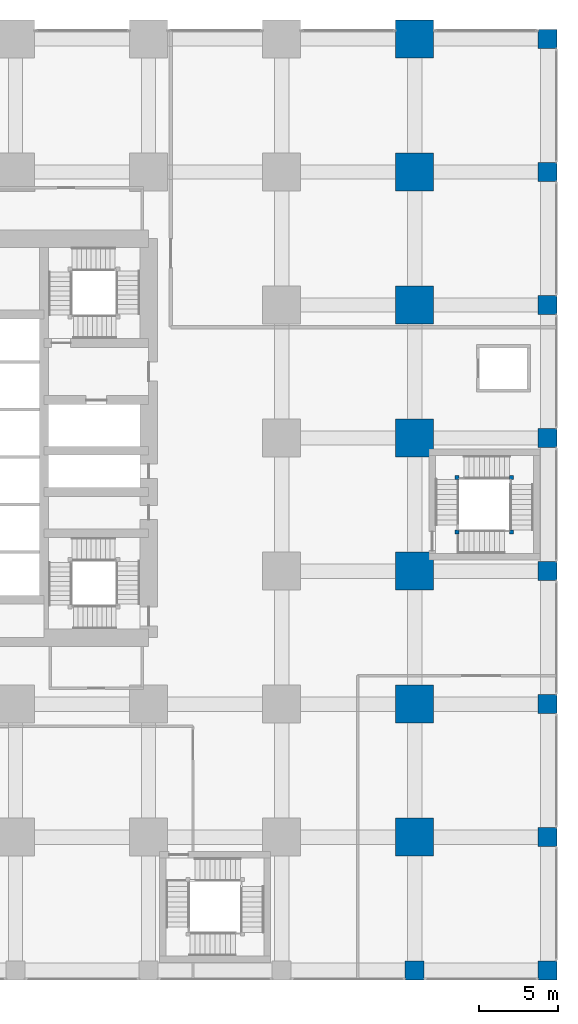
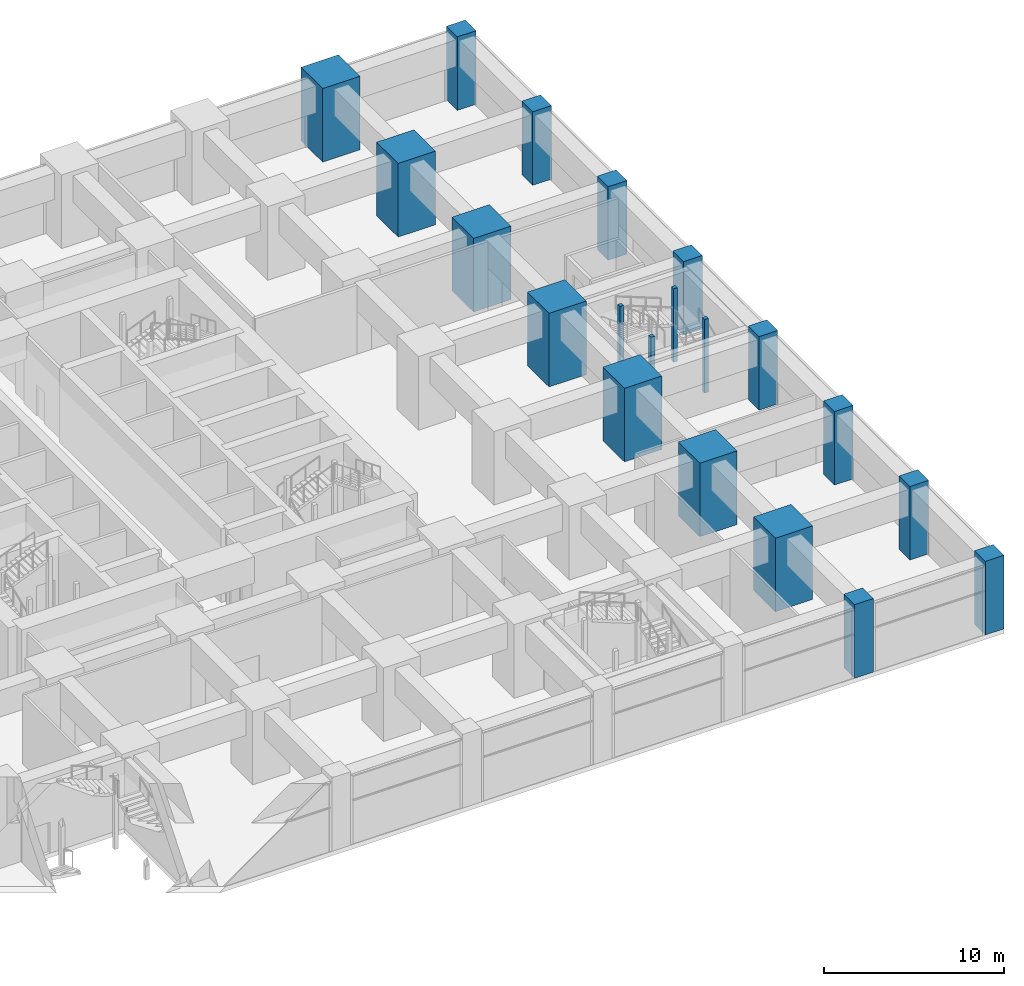
# One storey, part 2 of 48: 20 columns.
"""IFC4 building model written with IfcOpenShell, lengths in metres."""

from ifc_helpers import new_model, si_unit, direction, frame, origin, origin_2d, place, context, subcontext, project, spatial, rectangle, extrude, material, material_profile, profile_set, type_object, element, save


model = new_model("IFC4")

# Units and contexts
model_context = context("Model", 3, precision=1e-05, world=origin(), true_north=direction((0.0, 1.0)))
body_context = subcontext(model_context, "Body", "Model", "MODEL_VIEW")
ifc_project = project(units=[si_unit("LENGTHUNIT", "METRE"), si_unit("AREAUNIT", "SQUARE_METRE"), si_unit("VOLUMEUNIT", "CUBIC_METRE"), si_unit("PLANEANGLEUNIT", "RADIAN"), si_unit("MASSUNIT", "GRAM", prefix="KILO")], contexts=[model_context])

# Site, building, storey
site_placement = place(None, origin())
site = spatial("IfcSite", under=ifc_project, at=site_placement, CompositionType="ELEMENT")
building_placement = place(site_placement, origin())
building = spatial("IfcBuilding", under=site, at=building_placement, Name="Rekha Terrace Tower", CompositionType="ELEMENT")
storey_placement = place(building_placement, frame((0.0, 0.0, 15.39990234375)))
storey = spatial("IfcBuildingStorey", under=building, at=storey_placement, Name="L03", CompositionType="ELEMENT", Elevation=15.39990234375)

# Columns
ifc_material_1 = material(Name="Concrete M70", Category="concrete")
ifc_material_profile_1 = material_profile(ifc_material_1, rectangle(XDim=2.39990234375, YDim=2.39990234375, at=origin_2d()), Name="RC 2400x2400")
ifc_profile_set_1 = profile_set([ifc_material_profile_1], Name="Concrete M70")
column_type_1 = type_object("IfcColumnType", Name="C1 2400x2400 column", PredefinedType="COLUMN", material=ifc_profile_set_1)
for number, where, z_axis, x_axis, name in (
    (1, (67.199951171875, 8.39990234375, 0.0), (0.0, 0.0, 1.0), (1.0, 0.0, 0.0), "Column C1 9/B L03"),
    (2, (67.199951171875, 16.800048828125, 0.0), (0.0, 0.0, 1.0), (1.0, 0.0, 0.0), "Column C1 9/C L03"),
    (3, (67.199951171875, 25.199951171875, 0.0), (0.0, 0.0, 1.0), (1.0, 0.0, 0.0), "Column C1 9/D L03"),
    (4, (67.199951171875, 33.60009765625, 0.0), (0.0, 0.0, 1.0), (1.0, 0.0, 0.0), "Column C1 9/E L03"),
    (5, (67.199951171875, 42.0, 0.0), (0.0, 0.0, 1.0), (1.0, 0.0, 0.0), "Column C1 9/F L03"),
    (6, (67.199951171875, 50.39990234375, 0.0), (0.0, 0.0, 1.0), (1.0, 0.0, 0.0), "Column C1 9/G L03"),
    (7, (67.199951171875, 58.800048828125, 0.0), (0.0, 0.0, 1.0), (1.0, 0.0, 0.0), "Column C1 9/H L03"),
):
    element("IfcColumn", number, at=place(storey_placement, frame(where, z_axis=z_axis, x_axis=x_axis)), inside=storey, type_object=column_type_1, Name=name, PredefinedType="COLUMN", context=body_context, shape_type="SweptSolid", body=[
        extrude(rectangle(XDim=2.39990234375, YDim=2.39990234375, at=origin_2d()), origin(), (0.0, 0.0, 1.0), 5.0),
    ])
ifc_material_2 = material(Name="Concrete M60", Category="concrete")
ifc_material_profile_2 = material_profile(ifc_material_2, rectangle(XDim=1.199951171875, YDim=1.199951171875, at=origin_2d()), Name="RC 1200x1200")
ifc_profile_set_2 = profile_set([ifc_material_profile_2], Name="Concrete M60")
column_type_2 = type_object("IfcColumnType", Name="C6 1200x1200 podium column", PredefinedType="COLUMN", material=ifc_profile_set_2)
for number, where, z_axis, x_axis, name in (
    (8, (67.199951171875, 0.0, 0.0), (0.0, 0.0, 1.0), (1.0, 0.0, 0.0), "Column C6 9/A L03"),
    (9, (75.60009765625, 0.0, 0.0), (0.0, 0.0, 1.0), (1.0, 0.0, 0.0), "Column C6 10/A L03"),
    (10, (75.60009765625, 8.39990234375, 0.0), (0.0, 0.0, 1.0), (1.0, 0.0, 0.0), "Column C6 10/B L03"),
    (11, (75.60009765625, 16.800048828125, 0.0), (0.0, 0.0, 1.0), (1.0, 0.0, 0.0), "Column C6 10/C L03"),
    (12, (75.60009765625, 25.199951171875, 0.0), (0.0, 0.0, 1.0), (1.0, 0.0, 0.0), "Column C6 10/D L03"),
    (13, (75.60009765625, 33.60009765625, 0.0), (0.0, 0.0, 1.0), (1.0, 0.0, 0.0), "Column C6 10/E L03"),
    (14, (75.60009765625, 42.0, 0.0), (0.0, 0.0, 1.0), (1.0, 0.0, 0.0), "Column C6 10/F L03"),
    (15, (75.60009765625, 50.39990234375, 0.0), (0.0, 0.0, 1.0), (1.0, 0.0, 0.0), "Column C6 10/G L03"),
    (16, (75.60009765625, 58.800048828125, 0.0), (0.0, 0.0, 1.0), (1.0, 0.0, 0.0), "Column C6 10/H L03"),
):
    element("IfcColumn", number, at=place(storey_placement, frame(where, z_axis=z_axis, x_axis=x_axis)), inside=storey, type_object=column_type_2, Name=name, PredefinedType="COLUMN", context=body_context, shape_type="SweptSolid", body=[
        extrude(rectangle(XDim=1.199951171875, YDim=1.199951171875, at=origin_2d()), origin(), (0.0, 0.0, 1.0), 5.0),
    ])
ifc_material_profile_3 = material_profile(ifc_material_2, rectangle(XDim=0.25, YDim=0.25, at=origin_2d()), Name="RC 250x250")
ifc_profile_set_3 = profile_set([ifc_material_profile_3], Name="Concrete M60")
column_type_3 = type_object("IfcColumnType", Name="NP1 250x250 stair newel post", PredefinedType="COLUMN", material=ifc_profile_set_3)
for number, where, z_axis, x_axis, name in (
    (17, (69.875, 27.675048828125, 0.0), (0.0, 0.0, 1.0), (1.0, 0.0, 0.0), "Stair newel post NP1"),
    (18, (73.324951171875, 27.675048828125, 0.0), (0.0, 0.0, 1.0), (1.0, 0.0, 0.0), "Stair newel post NP1"),
    (19, (73.324951171875, 31.125, 0.0), (0.0, 0.0, 1.0), (1.0, 0.0, 0.0), "Stair newel post NP1"),
    (20, (69.875, 31.125, 0.0), (0.0, 0.0, 1.0), (1.0, 0.0, 0.0), "Stair newel post NP1"),
):
    element("IfcColumn", number, at=place(storey_placement, frame(where, z_axis=z_axis, x_axis=x_axis)), inside=storey, type_object=column_type_3, Name=name, PredefinedType="COLUMN", context=body_context, shape_type="SweptSolid", body=[
        extrude(rectangle(XDim=0.25, YDim=0.25, at=origin_2d()), origin(), (0.0, 0.0, 1.0), 5.0),
    ])

save(model, "model.ifc")
